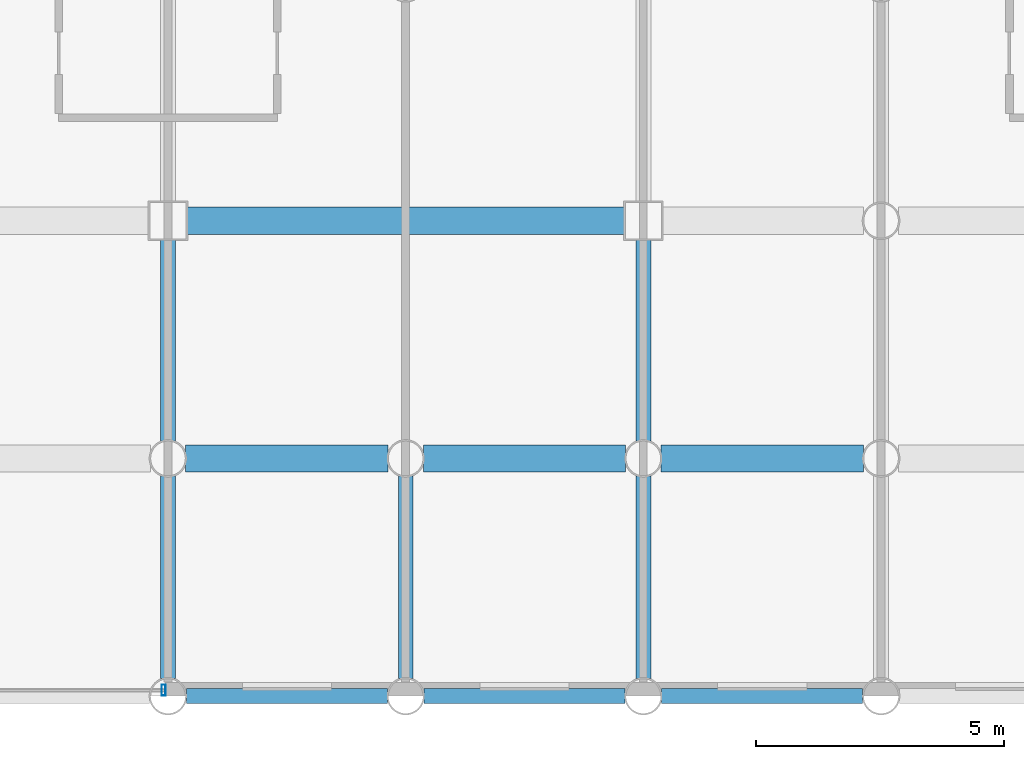
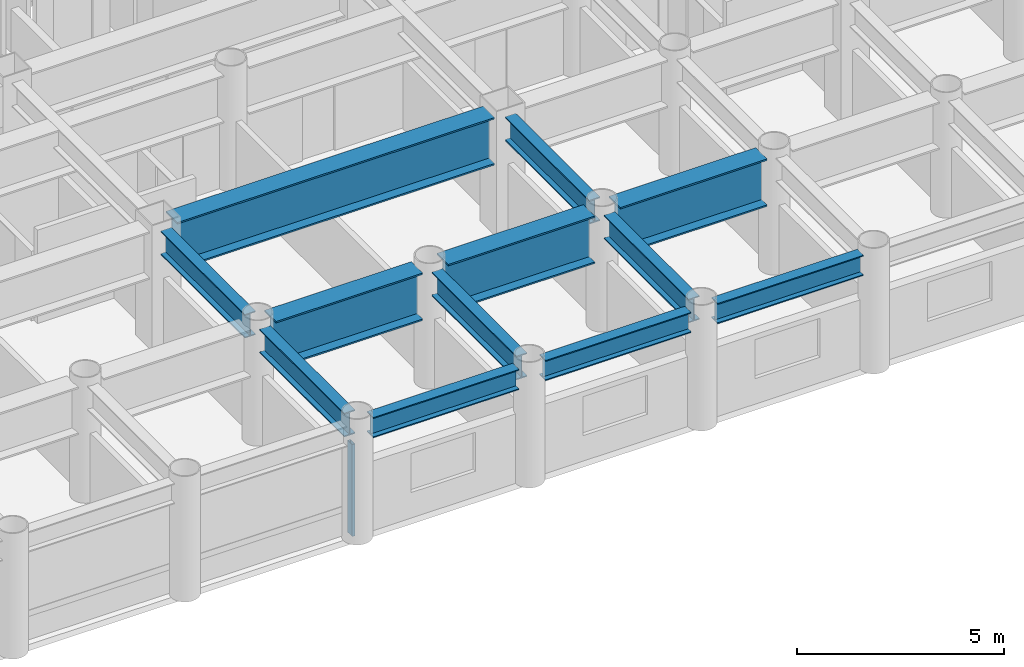
# One storey, part 6 of 21: 12 beams, 1 member, 1 element without a shape of its own.
"""IFC4 building model written with IfcOpenShell, lengths in metres."""

import ifcopenshell
import ifcopenshell.guid

model = None  # the IFC model being written
_history = None  # IfcOwnerHistory: only IFC2X3 demands one
_inside = {}  # id of a spatial element -> (the spatial element, [elements in it])
_under = {}  # id of a project, library or spatial element -> (it, [spatial elements below it])
_declared = {}  # id of a project -> (the project, [libraries it declares])
_typed = {}  # id of a type object -> (the type object, [elements of that type])
_made_of = {}  # id of a material, layer set ... -> (it, [elements and type objects made of it])


def new_model(schema):
    """Start an empty IFC model of exactly this schema.

    Asked for "IFC4X3", IfcOpenShell would pick the latest addendum, in which some entities
    have other attributes; the version numbers below select the first issue.
    IFC2X3 requires an IfcOwnerHistory on every rooted entity: one is made here for all.
    """
    global model, _history
    if schema == "IFC4X3":
        model = ifcopenshell.file(schema_version=(4, 3, 0, 0))
    else:
        model = ifcopenshell.file(schema=schema)
    _inside.clear()
    _under.clear()
    _declared.clear()
    _typed.clear()
    _made_of.clear()
    _history = None
    if model.schema == "IFC2X3":
        org = make("IfcOrganization", Name="unknown")
        user = make(
            "IfcPersonAndOrganization",
            ThePerson=make("IfcPerson", FamilyName="unknown"),
            TheOrganization=org,
        )
        app = make(
            "IfcApplication",
            ApplicationDeveloper=org,
            Version="unknown",
            ApplicationFullName="unknown",
            ApplicationIdentifier="unknown",
        )
        _history = make(
            "IfcOwnerHistory",
            OwningUser=user,
            OwningApplication=app,
            ChangeAction="ADDED",
            CreationDate=0,
        )
    return model


def make(cls, **values):
    """One entity of the class cls with the attributes given. An attribute that is None is left unset."""
    return model.create_entity(
        cls, **{name: value for name, value in values.items() if value is not None}
    )


def rooted(cls, **values):
    """An entity with a GlobalId (a new one), such as an element, a storey or a relation."""
    return make(cls, GlobalId=ifcopenshell.guid.new(), OwnerHistory=_history, **values)


def si_unit(unit_type, name, prefix=None):
    """IfcSIUnit, for example si_unit("LENGTHUNIT", "METRE", prefix="MILLI")."""
    return make("IfcSIUnit", UnitType=unit_type, Prefix=prefix, Name=name)


def assignment(units):
    """IfcUnitAssignment: the units of a project."""
    return None if units is None else make("IfcUnitAssignment", Units=units)


def point(xyz):
    """IfcCartesianPoint."""
    return None if xyz is None else make("IfcCartesianPoint", Coordinates=xyz)


def direction(xyz):
    """IfcDirection."""
    return None if xyz is None else make("IfcDirection", DirectionRatios=xyz)


def frame(location, z_axis=None, x_axis=None):
    """IfcAxis2Placement3D, a coordinate frame: its origin and axes. An axis left out is left unset."""
    return make(
        "IfcAxis2Placement3D",
        Location=point(location),
        Axis=direction(z_axis),
        RefDirection=direction(x_axis),
    )


def frame_2d(location, x_axis=None):
    """IfcAxis2Placement2D, a coordinate frame in the plane: its origin and x axis."""
    return make(
        "IfcAxis2Placement2D", Location=point(location), RefDirection=direction(x_axis)
    )


def origin():
    """The frame at (0, 0, 0) with its axes left unset."""
    return frame((0.0, 0.0, 0.0))


def origin_2d():
    """The frame at (0, 0) in the plane with its x axis left unset."""
    return frame_2d((0.0, 0.0))


def place(relative_to, where):
    """IfcLocalPlacement: puts the frame where relative to a parent placement (None: the world)."""
    return make(
        "IfcLocalPlacement", PlacementRelTo=relative_to, RelativePlacement=where
    )


def context(
    kind, dimensions, precision=None, world=None, true_north=None, identifier=None
):
    """IfcGeometricRepresentationContext, for example the 3D "Model" context."""
    return make(
        "IfcGeometricRepresentationContext",
        ContextIdentifier=identifier,
        ContextType=kind,
        CoordinateSpaceDimension=dimensions,
        Precision=precision,
        WorldCoordinateSystem=world,
        TrueNorth=true_north,
    )


def subcontext(parent, identifier, kind, view, scale=None):
    """IfcGeometricRepresentationSubContext, for example "Body" below "Model"."""
    return make(
        "IfcGeometricRepresentationSubContext",
        ContextIdentifier=identifier,
        ContextType=kind,
        ParentContext=parent,
        TargetScale=scale,
        TargetView=view,
    )


def project(units=None, contexts=None):
    """IfcProject with its units and contexts."""
    return rooted(
        "IfcProject",
        Name="project",
        RepresentationContexts=contexts,
        UnitsInContext=assignment(units),
    )


def spatial(cls, under=None, at=None, **own):
    """A site, building, storey or space (cls), placed at a placement, below another one or the project."""
    s = rooted(cls, ObjectPlacement=at, **own)
    if under is not None:
        _under.setdefault(under.id(), (under, []))[1].append(s)
    return s


def profile(cls, at=None, kind="AREA", **sizes):
    """A parametric profile (cls). Its sizes go by their IFC names, for example OverallWidth=200.0."""
    return make(cls, ProfileType=kind, Position=at, **sizes)


def hollow_rectangle(**sizes):
    """IfcRectangleHollowProfileDef."""
    return profile("IfcRectangleHollowProfileDef", **sizes)


def i_section(**sizes):
    """IfcIShapeProfileDef."""
    return profile("IfcIShapeProfileDef", **sizes)


def extrude(swept, where, along, depth):
    """IfcExtrudedAreaSolid: the profile swept, set in the frame where, extruded along a direction by depth."""
    return make(
        "IfcExtrudedAreaSolid",
        SweptArea=swept,
        Position=where,
        ExtrudedDirection=direction(along),
        Depth=depth,
    )


def shape(context_of_items, identifier, shape_type, items):
    """IfcShapeRepresentation: the items that make up one representation, for example the "Body"."""
    return make(
        "IfcShapeRepresentation",
        ContextOfItems=context_of_items,
        RepresentationIdentifier=identifier,
        RepresentationType=shape_type,
        Items=items,
    )


def material(Name=None, Category=None):
    """IfcMaterial."""
    return make("IfcMaterial", Name=Name, Category=Category)


def layer(
    of_material, thickness, ventilated=None, Name=None, Category=None, Priority=None
):
    """IfcMaterialLayer: one layer of a wall or slab, of a material (None: an air gap)."""
    return make(
        "IfcMaterialLayer",
        Material=of_material,
        LayerThickness=thickness,
        IsVentilated=ventilated,
        Name=Name,
        Category=Category,
        Priority=Priority,
    )


def layer_set(layers, Name=None):
    """IfcMaterialLayerSet."""
    return make("IfcMaterialLayerSet", MaterialLayers=layers, LayerSetName=Name)


def material_profile(
    of_material, cross_section, Name=None, Category=None, Priority=None
):
    """IfcMaterialProfile: a cross section and its material."""
    return make(
        "IfcMaterialProfile",
        Name=Name,
        Material=of_material,
        Profile=cross_section,
        Priority=Priority,
        Category=Category,
    )


def profile_set(profiles, Name=None, composite=None):
    """IfcMaterialProfileSet."""
    return make(
        "IfcMaterialProfileSet",
        Name=Name,
        MaterialProfiles=profiles,
        CompositeProfile=composite,
    )


def made_of(thing, what):
    """Note that an element or type object is made of a material, layer set ...; save() writes the relation."""
    if what is not None:
        _made_of.setdefault(what.id(), (what, []))[1].append(thing)
    return thing


def type_object(cls, material=None, **own):
    """A type object (cls), such as IfcWallType, which elements share."""
    return made_of(rooted(cls, **own), material)


def element(
    cls,
    number,
    at=None,
    inside=None,
    cuts=None,
    type_object=None,
    material=None,
    context=None,
    identifier="Body",
    shape_type=None,
    held_by="IfcProductDefinitionShape",
    body=None,
    shapes=None,
    **own,
):
    """One element of the class cls, such as IfcWall. Its Tag is "e" and its number.

    at: its placement. inside: the storey or other place that contains it. cuts: it is an
    opening in that element (IfcRelVoidsElement). A single representation is given by context,
    identifier, shape_type and body (its items); several are given by shapes. held_by: the class
    of the entity that holds the representations. save() writes the other relations.
    """
    e = rooted(cls, Tag="e%d" % number, ObjectPlacement=at, **own)
    if body is not None:
        shapes = [shape(context, identifier, shape_type, body)]
    if shapes is not None:
        e.Representation = make(held_by, Representations=shapes)
    if inside is not None:
        _inside.setdefault(inside.id(), (inside, []))[1].append(e)
    if cuts is not None:
        rooted(
            "IfcRelVoidsElement", RelatingBuildingElement=cuts, RelatedOpeningElement=e
        )
    if type_object is not None:
        _typed.setdefault(type_object.id(), (type_object, []))[1].append(e)
    return made_of(e, material)


def aggregate(whole, parts):
    """IfcRelAggregates: a whole, such as a stair, and the parts it consists of."""
    return rooted("IfcRelAggregates", RelatingObject=whole, RelatedObjects=parts)


def save(model, path):
    """Write the relations noted so far, then the file.

    IfcRelAggregates (storeys below a building ...), IfcRelContainedInSpatialStructure (elements
    in a storey), IfcRelDefinesByType, IfcRelAssociatesMaterial and IfcRelDeclares: one each for
    every whole, place, type object, material and project.
    """
    for whole, parts in _under.values():
        aggregate(whole, parts)
    for where, things in _inside.values():
        rooted(
            "IfcRelContainedInSpatialStructure",
            RelatedElements=things,
            RelatingStructure=where,
        )
    for kind, things in _typed.values():
        rooted("IfcRelDefinesByType", RelatedObjects=things, RelatingType=kind)
    for what, things in _made_of.values():
        rooted("IfcRelAssociatesMaterial", RelatedObjects=things, RelatingMaterial=what)
    for by, libraries in _declared.values():
        rooted("IfcRelDeclares", RelatingContext=by, RelatedDefinitions=libraries)
    model.write(path)


model = new_model("IFC4")

# Units and contexts
model_context = context("Model", 3, precision=1e-05, world=origin(), true_north=direction((0.0, 1.0)))
body_context = subcontext(model_context, "Body", "Model", "MODEL_VIEW")
ifc_project = project(units=[si_unit("LENGTHUNIT", "METRE"), si_unit("AREAUNIT", "SQUARE_METRE"), si_unit("VOLUMEUNIT", "CUBIC_METRE"), si_unit("PLANEANGLEUNIT", "RADIAN"), si_unit("MASSUNIT", "GRAM", prefix="KILO")], contexts=[model_context])

# Site, building, storey
site_placement = place(None, origin())
site = spatial("IfcSite", under=ifc_project, at=site_placement, CompositionType="ELEMENT")
building_placement = place(site_placement, origin())
building = spatial("IfcBuilding", under=site, at=building_placement, Name="Kallvorn Hotel Tower", CompositionType="ELEMENT")
storey_placement = place(building_placement, frame((0.0, 0.0, 85.5)))
storey = spatial("IfcBuildingStorey", under=building, at=storey_placement, Name="L20", CompositionType="ELEMENT", Elevation=85.5)

# Beams
ifc_material_1 = material(Name="Structural steel S355JR", Category="steel")
ifc_material_profile_1 = material_profile(ifc_material_1, i_section(OverallWidth=0.300048828125, OverallDepth=0.60009765625, WebThickness=0.015380859375, FlangeThickness=0.030029296875, at=origin_2d()), Name="HE 600 B")
ifc_profile_set_1 = profile_set([ifc_material_profile_1], Name="Structural steel S355JR")
beam_type_1 = type_object("IfcBeamType", Name="BM_HE600B", PredefinedType="SPANDREL", material=ifc_profile_set_1)
for number, where, z_axis, x_axis, name in (
    (1, (5.1708984375, -24.0, 3.14990234375), (1.0, 0.0, 0.0), (0.0, 1.0, 0.0), "L21 Perimeter Spandrel 157"),
    (2, (9.970947265625, -24.0, 3.14990234375), (1.0, 0.0, 0.0), (0.0, 1.0, 0.0), "L21 Perimeter Spandrel 158"),
    (3, (14.77099609375, -24.0, 3.14990234375), (1.0, 0.0, 0.0), (0.0, 1.0, 0.0), "L21 Perimeter Spandrel 159"),
):
    element("IfcBeam", number, at=place(storey_placement, frame(where, z_axis=z_axis, x_axis=x_axis)), inside=storey, type_object=beam_type_1, Name=name, PredefinedType="SPANDREL", context=body_context, shape_type="SweptSolid", body=[
        extrude(i_section(OverallWidth=0.300048828125, OverallDepth=0.60009765625, WebThickness=0.015380859375, FlangeThickness=0.030029296875, at=origin_2d()), origin(), (0.0, 0.0, 1.0), 4.05810546875),
    ])
ifc_material_2 = material(Name="Structural steel S355JR", Category="steel")
ifc_material_profile_2 = material_profile(ifc_material_2, i_section(OverallWidth=0.300048828125, OverallDepth=0.699951171875, WebThickness=0.01708984375, FlangeThickness=0.031982421875, at=origin_2d()), Name="HE 700 B")
ifc_profile_set_2 = profile_set([ifc_material_profile_2], Name="Structural steel S355JR")
beam_type_2 = type_object("IfcBeamType", Name="BM_HE700B", PredefinedType="BEAM", material=ifc_profile_set_2)
beam_1_placement = place(storey_placement, frame((4.800048828125, -23.64404296875, 3.10009765625), z_axis=(0.0, 1.0, 0.0), x_axis=(-1.0, 0.0, 0.0)))
element("IfcBeam", 4, at=beam_1_placement, inside=storey, type_object=beam_type_2, Name="L21 Primary Y-Girder 113", PredefinedType="BEAM", context=body_context, shape_type="SweptSolid", body=[
    extrude(i_section(OverallWidth=0.300048828125, OverallDepth=0.699951171875, WebThickness=0.01708984375, FlangeThickness=0.031982421875, at=origin_2d()), origin(), (0.0, 0.0, 1.0), 4.088134765625),
])
beam_2_placement = place(storey_placement, frame((4.800048828125, -18.843994140625, 3.10009765625), z_axis=(0.0, 1.0, 0.0), x_axis=(-1.0, 0.0, 0.0)))
element("IfcBeam", 5, at=beam_2_placement, inside=storey, type_object=beam_type_2, Name="L21 Primary Y-Girder 114", PredefinedType="BEAM", context=body_context, shape_type="SweptSolid", body=[
    extrude(i_section(OverallWidth=0.300048828125, OverallDepth=0.699951171875, WebThickness=0.01708984375, FlangeThickness=0.031982421875, at=origin_2d()), origin(), (0.0, 0.0, 1.0), 4.069091796875),
])
for number, where, z_axis, x_axis, name in (
    (6, (9.60009765625, -23.64404296875, 3.10009765625), (0.0, 1.0, 0.0), (-1.0, 0.0, 0.0), "L21 Primary Y-Girder 118"),
    (7, (14.39990234375, -23.64404296875, 3.10009765625), (0.0, 1.0, 0.0), (-1.0, 0.0, 0.0), "L21 Primary Y-Girder 121"),
):
    element("IfcBeam", number, at=place(storey_placement, frame(where, z_axis=z_axis, x_axis=x_axis)), inside=storey, type_object=beam_type_2, Name=name, PredefinedType="BEAM", context=body_context, shape_type="SweptSolid", body=[
        extrude(i_section(OverallWidth=0.300048828125, OverallDepth=0.699951171875, WebThickness=0.01708984375, FlangeThickness=0.031982421875, at=origin_2d()), origin(), (0.0, 0.0, 1.0), 4.088134765625),
    ])
beam_3_placement = place(storey_placement, frame((14.39990234375, -18.843994140625, 3.10009765625), z_axis=(0.0, 1.0, 0.0), x_axis=(-1.0, 0.0, 0.0)))
element("IfcBeam", 8, at=beam_3_placement, inside=storey, type_object=beam_type_2, Name="L21 Primary Y-Girder 122", PredefinedType="BEAM", context=body_context, shape_type="SweptSolid", body=[
    extrude(i_section(OverallWidth=0.300048828125, OverallDepth=0.699951171875, WebThickness=0.01708984375, FlangeThickness=0.031982421875, at=origin_2d()), origin(), (0.0, 0.0, 1.0), 4.069091796875),
])
ifc_material_3 = material(Name="Structural steel S355JR", Category="steel")
ifc_material_profile_3 = material_profile(ifc_material_3, i_section(OverallWidth=0.550048828125, OverallDepth=1.39990234375, WebThickness=0.02490234375, FlangeThickness=0.044921875, at=origin_2d()), Name="PG 1400x550x25x45")
ifc_profile_set_3 = profile_set([ifc_material_profile_3], Name="Structural steel S355JR")
beam_type_3 = type_object("IfcBeamType", Name="BM_PG_1400", PredefinedType="BEAM", material=ifc_profile_set_3)
for number, where, z_axis, x_axis, name in (
    (9, (5.156005859375, -19.199951171875, 2.75), (1.0, 0.0, 0.0), (0.0, 1.0, 0.0), "L21 Primary X-Girder 08"),
    (10, (9.9560546875, -19.199951171875, 2.75), (1.0, 0.0, 0.0), (0.0, 1.0, 0.0), "L21 Primary X-Girder 09"),
    (11, (14.756103515625, -19.199951171875, 2.75), (1.0, 0.0, 0.0), (0.0, 1.0, 0.0), "L21 Primary X-Girder 10"),
):
    element("IfcBeam", number, at=place(storey_placement, frame(where, z_axis=z_axis, x_axis=x_axis)), inside=storey, type_object=beam_type_3, Name=name, PredefinedType="BEAM", context=body_context, shape_type="SweptSolid", body=[
        extrude(i_section(OverallWidth=0.550048828125, OverallDepth=1.39990234375, WebThickness=0.02490234375, FlangeThickness=0.044921875, at=origin_2d()), origin(), (0.0, 0.0, 1.0), 4.087890625),
    ])
beam_4_placement = place(storey_placement, frame((5.175048828125, -14.39990234375, 2.75), z_axis=(1.0, 0.0, 0.0), x_axis=(0.0, 1.0, 0.0)))
element("IfcBeam", 12, at=beam_4_placement, inside=storey, type_object=beam_type_3, Name="L21 Primary X-Girder 19", PredefinedType="BEAM", context=body_context, shape_type="SweptSolid", body=[
    extrude(i_section(OverallWidth=0.550048828125, OverallDepth=1.39990234375, WebThickness=0.02490234375, FlangeThickness=0.044921875, at=origin_2d()), origin(), (0.0, 0.0, 1.0), 8.849853515625),
])

# Curtain wall, member
ifc_material_4 = material(Name="Thermally broken black-anodised aluminium AA 6063-T6", Category="aluminium")
ifc_layer = layer(ifc_material_4, 0.199951171875)
ifc_layer_set = layer_set([ifc_layer], Name="CW_SYS_3_HOTEL_LOW")
curtain_wall_type = type_object("IfcCurtainWallType", Name="CW_SYS_3_HOTEL_LOW", PredefinedType="USERDEFINED", material=ifc_layer_set)
curtain_wall_placement = place(storey_placement, origin())
curtain_wall = element("IfcCurtainWall", 13, at=curtain_wall_placement, inside=storey, type_object=curtain_wall_type, Name="L20 Dark-Glass Curtain Wall CW-L20-SC", ObjectType="UNITISED CURTAIN WALL", PredefinedType="USERDEFINED")
ifc_material_5 = material(Name="Thermally broken black-anodised aluminium AA 6063-T6", Category="aluminium")
ifc_material_profile_4 = material_profile(ifc_material_5, hollow_rectangle(XDim=0.080078125, YDim=0.219970703125, WallThickness=0.0048828125, at=origin_2d()), Name="MUL 220x80")
ifc_profile_set_4 = profile_set([ifc_material_profile_4], Name="Thermally broken black-anodised aluminium AA 6063-T6")
member_type = type_object("IfcMemberType", Name="CW_MULLION_220x80", PredefinedType="MULLION", material=ifc_profile_set_4)
member_placement = place(storey_placement, frame((4.7099609375, -23.8798828125, 0.02001953125), z_axis=(0.0, 0.0, 1.0), x_axis=(1.0, 0.0, 0.0)))
member = element("IfcMember", 14, at=member_placement, type_object=member_type, Name="CW-L20-SC Mullion 02", PredefinedType="MULLION", context=body_context, shape_type="SweptSolid", body=[
    extrude(hollow_rectangle(XDim=0.080078125, YDim=0.219970703125, WallThickness=0.0048828125, at=origin_2d()), origin(), (0.0, 0.0, 1.0), 2.7099609375),
])
aggregate(curtain_wall, [member])

save(model, "model.ifc")
